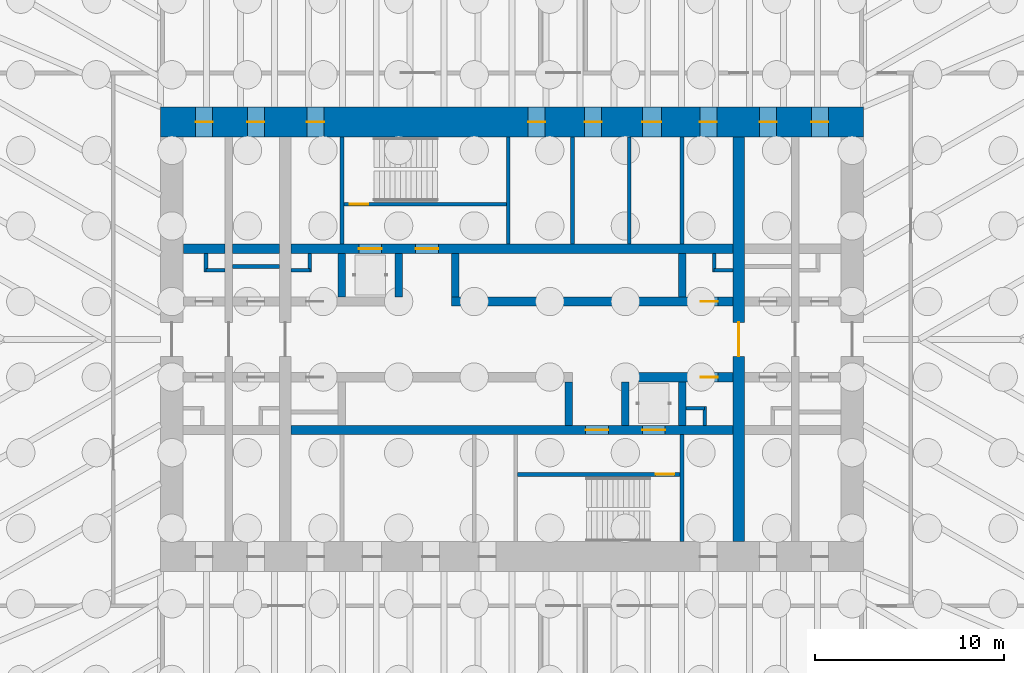
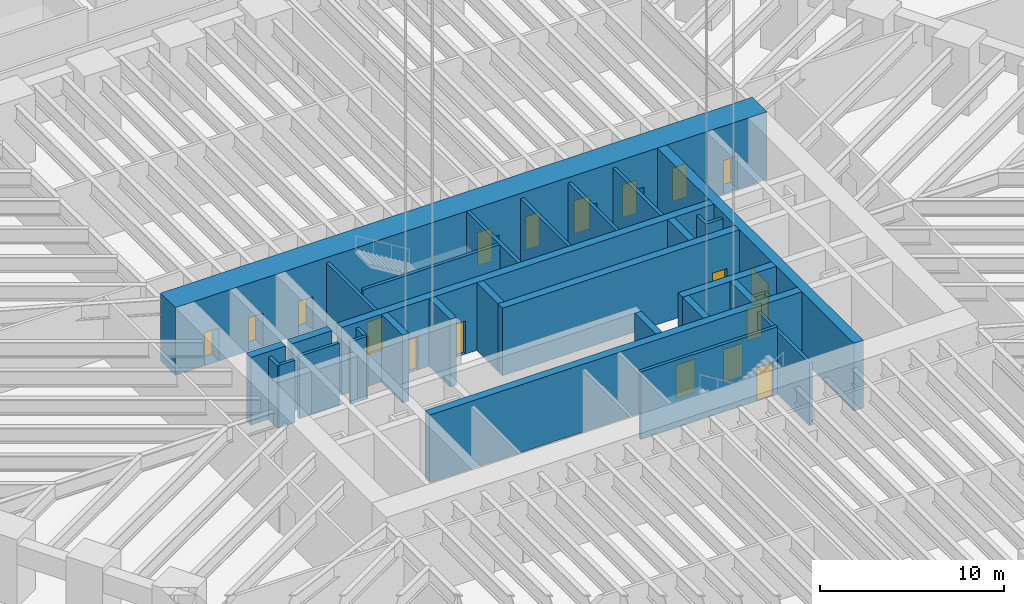
# One storey, part 9 of 17: 32 walls, 18 doors, 18 openings.
"""IFC4 building model written with IfcOpenShell, lengths in metres."""

from ifc_helpers import new_model, si_unit, direction, frame, frame_2d, origin, place, context, subcontext, project, spatial, rectangle, extrude, material, layer, layer_set, type_object, element, fill, save


model = new_model("IFC4")

# Units and contexts
model_context = context("Model", 3, precision=1e-05, world=origin(), true_north=direction((0.0, 1.0)))
body_context = subcontext(model_context, "Body", "Model", "MODEL_VIEW")
ifc_project = project(units=[si_unit("LENGTHUNIT", "METRE"), si_unit("AREAUNIT", "SQUARE_METRE"), si_unit("VOLUMEUNIT", "CUBIC_METRE"), si_unit("PLANEANGLEUNIT", "RADIAN"), si_unit("MASSUNIT", "GRAM", prefix="KILO")], contexts=[model_context])

# Site, building, storey
site_placement = place(None, origin())
site = spatial("IfcSite", under=ifc_project, at=site_placement, CompositionType="ELEMENT")
building_placement = place(site_placement, origin())
building = spatial("IfcBuilding", under=site, at=building_placement, Name="Tarfa Lantern Tower", CompositionType="ELEMENT")
storey_placement = place(building_placement, frame((0.0, 0.0, -9.0)))
storey = spatial("IfcBuildingStorey", under=building, at=storey_placement, Name="B2", CompositionType="ELEMENT", Elevation=-9.0)

# Walls
ifc_material_1 = material(Name="Concrete blockwork", Category="masonry")
ifc_layer_1 = layer(ifc_material_1, 0.199951171875)
ifc_layer_set_1 = layer_set([ifc_layer_1], Name="IW1 BLOCKWORK PARTITION 200 EI 120")
wall_type_1 = type_object("IfcWallType", Name="IW1 BLOCKWORK PARTITION 200 EI 120", PredefinedType="PARTITIONING", material=ifc_layer_set_1)
for number, where, z_axis, x_axis, name in (
    (1, (-9.0, 5.050048828125, 0.0), (0.0, 0.0, 1.0), (0.0, 1.0, 0.0), "Core partition"),
    (2, (9.0, 5.050048828125, 0.0), (0.0, 0.0, 1.0), (0.0, 1.0, 0.0), "Core partition"),
    (3, (3.199951171875, 5.050048828125, 0.0), (0.0, 0.0, 1.0), (0.0, 1.0, 0.0), "Core partition"),
    (4, (6.199951171875, 5.050048828125, 0.0), (0.0, 0.0, 1.0), (0.0, 1.0, 0.0), "Core partition"),
    (5, (9.0, -5.050048828125, 0.0), (0.0, 0.0, 1.0), (0.0, -1.0, 0.0), "Core partition"),
):
    element("IfcWall", number, at=place(storey_placement, frame(where, z_axis=z_axis, x_axis=x_axis)), inside=storey, type_object=wall_type_1, Name=name, PredefinedType="PARTITIONING", context=body_context, shape_type="SweptSolid", body=[
        extrude(rectangle(XDim=5.64990234375, YDim=0.199951171875, at=frame_2d((2.824951171875, 0.0))), origin(), (0.0, 0.0, 1.0), 4.14990234375),
    ])
for number, where, z_axis, x_axis, name in (
    (6, (-16.199951171875, 3.64990234375, 0.0), (0.0, 0.0, 1.0), (1.0, 0.0, 0.0), "Core partition"),
    (7, (-16.199951171875, 3.550048828125, 0.0), (0.0, 0.0, 1.0), (0.0, 1.0, 0.0), "Core partition"),
):
    element("IfcWall", number, at=place(storey_placement, frame(where, z_axis=z_axis, x_axis=x_axis)), inside=storey, type_object=wall_type_1, Name=name, PredefinedType="PARTITIONING", context=body_context, shape_type="SweptSolid", body=[
        extrude(rectangle(XDim=1.0, YDim=0.199951171875, at=frame_2d((0.5, 0.0))), origin(), (0.0, 0.0, 1.0), 4.14990234375),
    ])
wall_1_placement = place(storey_placement, frame((-14.800048828125, 3.85009765625, 0.0), z_axis=(0.0, 0.0, 1.0), x_axis=(1.0, 0.0, 0.0)))
element("IfcWall", 8, at=wall_1_placement, inside=storey, type_object=wall_type_1, Name="Core partition", PredefinedType="PARTITIONING", context=body_context, shape_type="SweptSolid", body=[
    extrude(rectangle(XDim=2.5, YDim=0.199951171875, at=frame_2d((1.25, 0.0))), origin(), (0.0, 0.0, 1.0), 4.14990234375),
])
for number, where, z_axis, x_axis, name in (
    (9, (-11.699951171875, 3.64990234375, 0.0), (0.0, 0.0, 1.0), (1.0, 0.0, 0.0), "Core partition"),
    (10, (-10.699951171875, 3.550048828125, 0.0), (0.0, 0.0, 1.0), (0.0, 1.0, 0.0), "Core partition"),
    (11, (10.699951171875, 3.64990234375, 0.0), (0.0, 0.0, 1.0), (1.0, 0.0, 0.0), "Core partition"),
    (12, (10.699951171875, 3.550048828125, 0.0), (0.0, 0.0, 1.0), (0.0, 1.0, 0.0), "Core partition"),
    (13, (10.199951171875, -3.64990234375, 0.0), (0.0, 0.0, 1.0), (-1.0, 0.0, 0.0), "Core partition"),
    (14, (10.199951171875, -3.550048828125, 0.0), (0.0, 0.0, 1.0), (0.0, -1.0, 0.0), "Core partition"),
):
    element("IfcWall", number, at=place(storey_placement, frame(where, z_axis=z_axis, x_axis=x_axis)), inside=storey, type_object=wall_type_1, Name=name, PredefinedType="PARTITIONING", context=body_context, shape_type="SweptSolid", body=[
        extrude(rectangle(XDim=1.0, YDim=0.199951171875, at=frame_2d((0.5, 0.0))), origin(), (0.0, 0.0, 1.0), 4.14990234375),
    ])
ifc_material_2 = material(Name="Concrete C80/95", Category="concrete")
ifc_layer_2 = layer(ifc_material_2, 0.199951171875)
ifc_layer_set_2 = layer_set([ifc_layer_2], Name="SW12 CORE WALL 200")
wall_type_2 = type_object("IfcWallType", Name="SW12 CORE WALL 200", PredefinedType="SHEAR", material=ifc_layer_set_2)
wall_2_placement = place(storey_placement, frame((-0.199951171875, 5.050048828125, 0.0), z_axis=(0.0, 0.0, 1.0), x_axis=(0.0, 1.0, 0.0)))
element("IfcWall", 15, at=wall_2_placement, inside=storey, type_object=wall_type_2, Name="Core wall stair shaft N", PredefinedType="SHEAR", context=body_context, shape_type="SweptSolid", body=[
    extrude(rectangle(XDim=5.64990234375, YDim=0.199951171875, at=frame_2d((2.824951171875, 0.0))), origin(), (0.0, 0.0, 1.0), 4.5),
])

# Wall, opening, door
wall_3_placement = place(storey_placement, frame((-8.89990234375, 7.14990234375, 0.0), z_axis=(0.0, 0.0, 1.0), x_axis=(1.0, 0.0, 0.0)))
wall_3 = element("IfcWall", 16, at=wall_3_placement, inside=storey, type_object=wall_type_2, Name="Core wall stair partition N", PredefinedType="SHEAR", context=body_context, shape_type="SweptSolid", body=[
    extrude(rectangle(XDim=8.599853515625, YDim=0.199951171875, at=frame_2d((4.2998046875, 0.0))), origin(), (0.0, 0.0, 1.0), 4.5),
])
opening_1_placement = place(wall_3_placement, frame((0.300048828125, 0.0, 0.0)))
opening_1 = element("IfcOpeningElement", 17, at=opening_1_placement, cuts=wall_3, Name="Opening D35", PredefinedType="OPENING", context=body_context, shape_type="SweptSolid", body=[
    extrude(rectangle(XDim=1.0, YDim=2.199951171875, at=frame_2d((0.5, 1.10009765625))), frame((0.0, 0.10986328125, 0.0), z_axis=(0.0, -1.0, 0.0), x_axis=(1.0, 0.0, 0.0)), (0.0, 0.0, 1.0), 0.219970703125),
])
ifc_material_3 = material(Name="Steel fire door", Category="steel")
door_type_1 = type_object("IfcDoorType", Name="DF2 STAIR DOOR 1000x2200", OperationType="SINGLE_SWING_LEFT", PredefinedType="DOOR", material=ifc_material_3)
door_1_placement = place(opening_1_placement, origin())
door_1 = element("IfcDoor", 18, at=door_1_placement, inside=storey, type_object=door_type_1, Name="Stair door", OperationType="SINGLE_SWING_RIGHT", OverallHeight=2.199951171875, OverallWidth=1.0, PredefinedType="DOOR", context=body_context, shape_type="SweptSolid", body=[
    extrude(rectangle(XDim=1.0, YDim=2.199951171875, at=frame_2d((0.5, 1.10009765625))), frame((0.0, 0.02490234375, 0.0), z_axis=(0.0, -1.0, 0.0), x_axis=(1.0, 0.0, 0.0)), (0.0, 0.0, 1.0), 0.050048828125),
])
fill(opening_1, door_1)

wall_4_placement = place(storey_placement, frame((8.89990234375, -7.14990234375, 0.0), z_axis=(0.0, 0.0, 1.0), x_axis=(-1.0, 0.0, 0.0)))
wall_4 = element("IfcWall", 19, at=wall_4_placement, inside=storey, type_object=wall_type_2, Name="Core wall stair partition S", PredefinedType="SHEAR", context=body_context, shape_type="SweptSolid", body=[
    extrude(rectangle(XDim=8.599853515625, YDim=0.199951171875, at=frame_2d((4.2998046875, 0.0))), origin(), (0.0, 0.0, 1.0), 4.5),
])
opening_2_placement = place(wall_4_placement, frame((0.300048828125, 0.0, 0.0)))
opening_2 = element("IfcOpeningElement", 20, at=opening_2_placement, cuts=wall_4, Name="Opening D36", PredefinedType="OPENING", context=body_context, shape_type="SweptSolid", body=[
    extrude(rectangle(XDim=1.0, YDim=2.199951171875, at=frame_2d((0.5, 1.10009765625))), frame((0.0, 0.10986328125, 0.0), z_axis=(0.0, -1.0, 0.0), x_axis=(1.0, 0.0, 0.0)), (0.0, 0.0, 1.0), 0.219970703125),
])
door_2_placement = place(opening_2_placement, origin())
door_2 = element("IfcDoor", 21, at=door_2_placement, inside=storey, type_object=door_type_1, Name="Stair door", OperationType="SINGLE_SWING_RIGHT", OverallHeight=2.199951171875, OverallWidth=1.0, PredefinedType="DOOR", context=body_context, shape_type="SweptSolid", body=[
    extrude(rectangle(XDim=1.0, YDim=2.199951171875, at=frame_2d((0.5, 1.10009765625))), frame((0.0, 0.02490234375, 0.0), z_axis=(0.0, -1.0, 0.0), x_axis=(1.0, 0.0, 0.0)), (0.0, 0.0, 1.0), 0.050048828125),
])
fill(opening_2, door_2)

ifc_layer_3 = layer(ifc_material_2, 0.5)
ifc_layer_set_3 = layer_set([ifc_layer_3], Name="SW5 CORE WALL 500")
wall_type_3 = type_object("IfcWallType", Name="SW5 CORE WALL 500", PredefinedType="SHEAR", material=ifc_layer_set_3)
wall_5_placement = place(storey_placement, frame((-3.199951171875, 2.0, 0.0), z_axis=(0.0, 0.0, 1.0), x_axis=(1.0, 0.0, 0.0)))
wall_5 = element("IfcWall", 22, at=wall_5_placement, inside=storey, type_object=wall_type_3, Name="Core wall lobby east N", PredefinedType="SHEAR", context=body_context, shape_type="SweptSolid", body=[
    extrude(rectangle(XDim=14.89990234375, YDim=0.5, at=frame_2d((7.449951171875, 0.0))), origin(), (0.0, 0.0, 1.0), 4.5),
])
opening_3_placement = place(wall_5_placement, frame((13.199951171875, 0.0, 0.0)))
opening_3 = element("IfcOpeningElement", 23, at=opening_3_placement, cuts=wall_5, Name="Opening D17", PredefinedType="OPENING", context=body_context, shape_type="SweptSolid", body=[
    extrude(rectangle(XDim=0.89990234375, YDim=2.199951171875, at=frame_2d((0.449951171875, 1.10009765625))), frame((0.0, 0.260009765625, 0.0), z_axis=(0.0, -1.0, 0.0), x_axis=(1.0, 0.0, 0.0)), (0.0, 0.0, 1.0), 0.52001953125),
])
door_type_2 = type_object("IfcDoorType", Name="DF6 SERVICE ROOM DOOR 900x2200", OperationType="SINGLE_SWING_LEFT", PredefinedType="DOOR", material=ifc_material_3)
door_3_placement = place(opening_3_placement, origin())
door_3 = element("IfcDoor", 24, at=door_3_placement, inside=storey, type_object=door_type_2, Name="Service room door", OperationType="SINGLE_SWING_LEFT", OverallHeight=2.199951171875, OverallWidth=0.89990234375, PredefinedType="DOOR", context=body_context, shape_type="SweptSolid", body=[
    extrude(rectangle(XDim=0.89990234375, YDim=2.199951171875, at=frame_2d((0.449951171875, 1.10009765625))), frame((0.0, 0.02490234375, 0.0), z_axis=(0.0, -1.0, 0.0), x_axis=(1.0, 0.0, 0.0)), (0.0, 0.0, 1.0), 0.050048828125),
])
fill(opening_3, door_3)

# Walls
wall_6_placement = place(storey_placement, frame((-17.39990234375, 4.800048828125, 0.0), z_axis=(0.0, 0.0, 1.0), x_axis=(1.0, 0.0, 0.0)))
element("IfcWall", 25, at=wall_6_placement, inside=storey, type_object=wall_type_3, Name="Core wall rear N", PredefinedType="SHEAR", context=body_context, shape_type="SweptSolid", body=[
    extrude(rectangle(XDim=2.199951171875, YDim=0.5, at=frame_2d((1.10009765625, 0.0))), origin(), (0.0, 0.0, 1.0), 4.5),
])
wall_7_placement = place(storey_placement, frame((-14.800048828125, 4.800048828125, 0.0), z_axis=(0.0, 0.0, 1.0), x_axis=(1.0, 0.0, 0.0)))
element("IfcWall", 26, at=wall_7_placement, inside=storey, type_object=wall_type_3, Name="Core wall rear N", PredefinedType="SHEAR", context=body_context, shape_type="SweptSolid", body=[
    extrude(rectangle(XDim=2.5, YDim=0.5, at=frame_2d((1.25, 0.0))), origin(), (0.0, 0.0, 1.0), 4.5),
])

# Wall, openings, doors
wall_8_placement = place(storey_placement, frame((-11.699951171875, 4.800048828125, 0.0), z_axis=(0.0, 0.0, 1.0), x_axis=(1.0, 0.0, 0.0)))
wall_8 = element("IfcWall", 27, at=wall_8_placement, inside=storey, type_object=wall_type_3, Name="Core wall rear N", PredefinedType="SHEAR", context=body_context, shape_type="SweptSolid", body=[
    extrude(rectangle(XDim=23.39990234375, YDim=0.5, at=frame_2d((11.699951171875, 0.0))), origin(), (0.0, 0.0, 1.0), 4.5),
])
opening_4_placement = place(wall_8_placement, frame((6.60009765625, 0.0, 0.0)))
opening_4 = element("IfcOpeningElement", 28, at=opening_4_placement, cuts=wall_8, Name="Opening D13", PredefinedType="OPENING", context=body_context, shape_type="SweptSolid", body=[
    extrude(rectangle(XDim=1.199951171875, YDim=2.199951171875, at=frame_2d((0.60009765625, 1.10009765625))), frame((0.0, 0.260009765625, 0.0), z_axis=(0.0, -1.0, 0.0), x_axis=(1.0, 0.0, 0.0)), (0.0, 0.0, 1.0), 0.52001953125),
])
opening_5_placement = place(wall_8_placement, frame((3.60009765625, 0.0, 0.0)))
opening_5 = element("IfcOpeningElement", 29, at=opening_5_placement, cuts=wall_8, Name="Opening LD01", PredefinedType="OPENING", context=body_context, shape_type="SweptSolid", body=[
    extrude(rectangle(XDim=1.199951171875, YDim=2.199951171875, at=frame_2d((0.60009765625, 1.10009765625))), frame((0.0, 0.260009765625, 0.0), z_axis=(0.0, -1.0, 0.0), x_axis=(1.0, 0.0, 0.0)), (0.0, 0.0, 1.0), 0.52001953125),
])
door_type_3 = type_object("IfcDoorType", Name="DF1 FIREFIGHTING LOBBY DOOR 1200x2200", OperationType="SINGLE_SWING_LEFT", PredefinedType="DOOR", material=ifc_material_3)
door_4_placement = place(opening_4_placement, origin())
door_4 = element("IfcDoor", 30, at=door_4_placement, inside=storey, type_object=door_type_3, Name="Firefighting lobby door", OperationType="SINGLE_SWING_LEFT", OverallHeight=2.199951171875, OverallWidth=1.199951171875, PredefinedType="DOOR", context=body_context, shape_type="SweptSolid", body=[
    extrude(rectangle(XDim=1.199951171875, YDim=2.199951171875, at=frame_2d((0.60009765625, 1.10009765625))), frame((0.0, 0.02490234375, 0.0), z_axis=(0.0, -1.0, 0.0), x_axis=(1.0, 0.0, 0.0)), (0.0, 0.0, 1.0), 0.050048828125),
])
fill(opening_4, door_4)
ifc_material_4 = material(Name="Stainless steel lift door", Category="steel")
door_type_4 = type_object("IfcDoorType", Name="LD1 LIFT LANDING DOOR 1200x2200", OperationType="SLIDING_TO_LEFT", PredefinedType="DOOR", material=ifc_material_4)
door_5_placement = place(opening_5_placement, origin())
door_5 = element("IfcDoor", 31, at=door_5_placement, inside=storey, type_object=door_type_4, Name="Landing door FL1", OperationType="SLIDING_TO_LEFT", OverallHeight=2.199951171875, OverallWidth=1.199951171875, PredefinedType="DOOR", context=body_context, shape_type="SweptSolid", body=[
    extrude(rectangle(XDim=1.199951171875, YDim=2.199951171875, at=frame_2d((0.60009765625, 1.10009765625))), frame((0.0, 0.02490234375, 0.0), z_axis=(0.0, -1.0, 0.0), x_axis=(1.0, 0.0, 0.0)), (0.0, 0.0, 1.0), 0.050048828125),
])
fill(opening_5, door_5)

# Wall, opening, door
wall_9_placement = place(storey_placement, frame((11.699951171875, -2.0, 0.0), z_axis=(0.0, 0.0, 1.0), x_axis=(-1.0, 0.0, 0.0)))
wall_9 = element("IfcWall", 32, at=wall_9_placement, inside=storey, type_object=wall_type_3, Name="Core wall lobby west S", PredefinedType="SHEAR", context=body_context, shape_type="SweptSolid", body=[
    extrude(rectangle(XDim=5.89990234375, YDim=0.5, at=frame_2d((2.949951171875, 0.0))), origin(), (0.0, 0.0, 1.0), 4.5),
])
opening_6_placement = place(wall_9_placement, frame((0.800048828125, 0.0, 0.0)))
opening_6 = element("IfcOpeningElement", 33, at=opening_6_placement, cuts=wall_9, Name="Opening D28", PredefinedType="OPENING", context=body_context, shape_type="SweptSolid", body=[
    extrude(rectangle(XDim=0.89990234375, YDim=2.199951171875, at=frame_2d((0.449951171875, 1.10009765625))), frame((0.0, 0.260009765625, 0.0), z_axis=(0.0, -1.0, 0.0), x_axis=(1.0, 0.0, 0.0)), (0.0, 0.0, 1.0), 0.52001953125),
])
door_6_placement = place(opening_6_placement, origin())
door_6 = element("IfcDoor", 34, at=door_6_placement, inside=storey, type_object=door_type_2, Name="Service room door", OperationType="SINGLE_SWING_RIGHT", OverallHeight=2.199951171875, OverallWidth=0.89990234375, PredefinedType="DOOR", context=body_context, shape_type="SweptSolid", body=[
    extrude(rectangle(XDim=0.89990234375, YDim=2.199951171875, at=frame_2d((0.449951171875, 1.10009765625))), frame((0.0, 0.02490234375, 0.0), z_axis=(0.0, -1.0, 0.0), x_axis=(1.0, 0.0, 0.0)), (0.0, 0.0, 1.0), 0.050048828125),
])
fill(opening_6, door_6)

# Wall, openings, doors
wall_10_placement = place(storey_placement, frame((11.699951171875, -4.800048828125, 0.0), z_axis=(0.0, 0.0, 1.0), x_axis=(-1.0, 0.0, 0.0)))
wall_10 = element("IfcWall", 35, at=wall_10_placement, inside=storey, type_object=wall_type_3, Name="Core wall rear S", PredefinedType="SHEAR", context=body_context, shape_type="SweptSolid", body=[
    extrude(rectangle(XDim=23.39990234375, YDim=0.5, at=frame_2d((11.699951171875, 0.0))), origin(), (0.0, 0.0, 1.0), 4.5),
])
opening_7_placement = place(wall_10_placement, frame((6.60009765625, 0.0, 0.0)))
opening_7 = element("IfcOpeningElement", 36, at=opening_7_placement, cuts=wall_10, Name="Opening D14", PredefinedType="OPENING", context=body_context, shape_type="SweptSolid", body=[
    extrude(rectangle(XDim=1.199951171875, YDim=2.199951171875, at=frame_2d((0.60009765625, 1.10009765625))), frame((0.0, 0.260009765625, 0.0), z_axis=(0.0, -1.0, 0.0), x_axis=(1.0, 0.0, 0.0)), (0.0, 0.0, 1.0), 0.52001953125),
])
opening_8_placement = place(wall_10_placement, frame((3.60009765625, 0.0, 0.0)))
opening_8 = element("IfcOpeningElement", 37, at=opening_8_placement, cuts=wall_10, Name="Opening LD02", PredefinedType="OPENING", context=body_context, shape_type="SweptSolid", body=[
    extrude(rectangle(XDim=1.199951171875, YDim=2.199951171875, at=frame_2d((0.60009765625, 1.10009765625))), frame((0.0, 0.260009765625, 0.0), z_axis=(0.0, -1.0, 0.0), x_axis=(1.0, 0.0, 0.0)), (0.0, 0.0, 1.0), 0.52001953125),
])
door_7_placement = place(opening_7_placement, origin())
door_7 = element("IfcDoor", 38, at=door_7_placement, inside=storey, type_object=door_type_3, Name="Firefighting lobby door", OperationType="SINGLE_SWING_LEFT", OverallHeight=2.199951171875, OverallWidth=1.199951171875, PredefinedType="DOOR", context=body_context, shape_type="SweptSolid", body=[
    extrude(rectangle(XDim=1.199951171875, YDim=2.199951171875, at=frame_2d((0.60009765625, 1.10009765625))), frame((0.0, 0.02490234375, 0.0), z_axis=(0.0, -1.0, 0.0), x_axis=(1.0, 0.0, 0.0)), (0.0, 0.0, 1.0), 0.050048828125),
])
fill(opening_7, door_7)
door_8_placement = place(opening_8_placement, origin())
door_8 = element("IfcDoor", 39, at=door_8_placement, inside=storey, type_object=door_type_4, Name="Landing door FL2", OperationType="SLIDING_TO_LEFT", OverallHeight=2.199951171875, OverallWidth=1.199951171875, PredefinedType="DOOR", context=body_context, shape_type="SweptSolid", body=[
    extrude(rectangle(XDim=1.199951171875, YDim=2.199951171875, at=frame_2d((0.60009765625, 1.10009765625))), frame((0.0, 0.02490234375, 0.0), z_axis=(0.0, -1.0, 0.0), x_axis=(1.0, 0.0, 0.0)), (0.0, 0.0, 1.0), 0.050048828125),
])
fill(opening_8, door_8)

# Walls
ifc_layer_4 = layer(ifc_material_2, 0.39990234375)
ifc_layer_set_4 = layer_set([ifc_layer_4], Name="SW6 CORE WALL 400")
wall_type_4 = type_object("IfcWallType", Name="SW6 CORE WALL 400", PredefinedType="SHEAR", material=ifc_layer_set_4)
for number, where, z_axis, x_axis, name in (
    (40, (-9.0, 2.25, 0.0), (0.0, 0.0, 1.0), (0.0, 1.0, 0.0), "Core wall divider N"),
    (41, (-6.0, 2.25, 0.0), (0.0, 0.0, 1.0), (0.0, 1.0, 0.0), "Core wall divider N"),
    (42, (-3.0, 2.25, 0.0), (0.0, 0.0, 1.0), (0.0, 1.0, 0.0), "Core wall divider N"),
    (43, (9.0, 2.25, 0.0), (0.0, 0.0, 1.0), (0.0, 1.0, 0.0), "Core wall divider N"),
    (44, (9.0, -2.25, 0.0), (0.0, 0.0, 1.0), (0.0, -1.0, 0.0), "Core wall divider S"),
    (45, (6.0, -2.25, 0.0), (0.0, 0.0, 1.0), (0.0, -1.0, 0.0), "Core wall divider S"),
    (46, (3.0, -2.25, 0.0), (0.0, 0.0, 1.0), (0.0, -1.0, 0.0), "Core wall divider S"),
):
    element("IfcWall", number, at=place(storey_placement, frame(where, z_axis=z_axis, x_axis=x_axis)), inside=storey, type_object=wall_type_4, Name=name, PredefinedType="SHEAR", context=body_context, shape_type="SweptSolid", body=[
        extrude(rectangle(XDim=2.300048828125, YDim=0.39990234375, at=frame_2d((1.14990234375, 0.0))), origin(), (0.0, 0.0, 1.0), 4.5),
    ])

# Wall, openings, doors
ifc_layer_5 = layer(ifc_material_2, 1.60009765625)
ifc_layer_set_5 = layer_set([ifc_layer_5], Name="SW7 CORE WALL 1600")
wall_type_5 = type_object("IfcWallType", Name="SW7 CORE WALL 1600", PredefinedType="SHEAR", material=ifc_layer_set_5)
wall_11_placement = place(storey_placement, frame((-18.60009765625, 11.5, 0.0), z_axis=(0.0, 0.0, 1.0), x_axis=(1.0, 0.0, 0.0)))
wall_11 = element("IfcWall", 47, at=wall_11_placement, inside=storey, type_object=wall_type_5, Name="Core wall N", PredefinedType="SHEAR", context=body_context, shape_type="SweptSolid", body=[
    extrude(rectangle(XDim=37.2001953125, YDim=1.60009765625, at=frame_2d((18.60009765625, 0.0))), origin(), (0.0, 0.0, 1.0), 4.5),
])
opening_9_placement = place(wall_11_placement, frame((19.449951171875, 0.0, 0.0)))
opening_9 = element("IfcOpeningElement", 48, at=opening_9_placement, cuts=wall_11, Name="Opening D29", PredefinedType="OPENING", context=body_context, shape_type="SweptSolid", body=[
    extrude(rectangle(XDim=0.89990234375, YDim=2.199951171875, at=frame_2d((0.449951171875, 1.10009765625))), frame((0.0, 0.81005859375, 0.0), z_axis=(0.0, -1.0, 0.0), x_axis=(1.0, 0.0, 0.0)), (0.0, 0.0, 1.0), 1.6201171875),
])
opening_10_placement = place(wall_11_placement, frame((22.449951171875, 0.0, 0.0)))
opening_10 = element("IfcOpeningElement", 49, at=opening_10_placement, cuts=wall_11, Name="Opening D31", PredefinedType="OPENING", context=body_context, shape_type="SweptSolid", body=[
    extrude(rectangle(XDim=0.89990234375, YDim=2.199951171875, at=frame_2d((0.449951171875, 1.10009765625))), frame((0.0, 0.81005859375, 0.0), z_axis=(0.0, -1.0, 0.0), x_axis=(1.0, 0.0, 0.0)), (0.0, 0.0, 1.0), 1.6201171875),
])
opening_11_placement = place(wall_11_placement, frame((25.5, 0.0, 0.0)))
opening_11 = element("IfcOpeningElement", 50, at=opening_11_placement, cuts=wall_11, Name="Opening D33", PredefinedType="OPENING", context=body_context, shape_type="SweptSolid", body=[
    extrude(rectangle(XDim=1.0, YDim=2.199951171875, at=frame_2d((0.5, 1.10009765625))), frame((0.0, 0.81005859375, 0.0), z_axis=(0.0, -1.0, 0.0), x_axis=(1.0, 0.0, 0.0)), (0.0, 0.0, 1.0), 1.6201171875),
])
opening_12_placement = place(wall_11_placement, frame((1.85009765625, 0.0, 0.0)))
opening_12 = element("IfcOpeningElement", 51, at=opening_12_placement, cuts=wall_11, Name="Opening D11", PredefinedType="OPENING", context=body_context, shape_type="SweptSolid", body=[
    extrude(rectangle(XDim=0.89990234375, YDim=2.199951171875, at=frame_2d((0.449951171875, 1.10009765625))), frame((0.0, 0.81005859375, 0.0), z_axis=(0.0, -1.0, 0.0), x_axis=(1.0, 0.0, 0.0)), (0.0, 0.0, 1.0), 1.6201171875),
])
opening_13_placement = place(wall_11_placement, frame((4.60009765625, 0.0, 0.0)))
opening_13 = element("IfcOpeningElement", 52, at=opening_13_placement, cuts=wall_11, Name="Opening D07", PredefinedType="OPENING", context=body_context, shape_type="SweptSolid", body=[
    extrude(rectangle(XDim=0.89990234375, YDim=2.199951171875, at=frame_2d((0.449951171875, 1.10009765625))), frame((0.0, 0.81005859375, 0.0), z_axis=(0.0, -1.0, 0.0), x_axis=(1.0, 0.0, 0.0)), (0.0, 0.0, 1.0), 1.6201171875),
])
opening_14_placement = place(wall_11_placement, frame((7.75, 0.0, 0.0)))
opening_14 = element("IfcOpeningElement", 53, at=opening_14_placement, cuts=wall_11, Name="Opening D09", PredefinedType="OPENING", context=body_context, shape_type="SweptSolid", body=[
    extrude(rectangle(XDim=0.89990234375, YDim=2.199951171875, at=frame_2d((0.449951171875, 1.10009765625))), frame((0.0, 0.81005859375, 0.0), z_axis=(0.0, -1.0, 0.0), x_axis=(1.0, 0.0, 0.0)), (0.0, 0.0, 1.0), 1.6201171875),
])
opening_15_placement = place(wall_11_placement, frame((28.550048828125, 0.0, 0.0)))
opening_15 = element("IfcOpeningElement", 54, at=opening_15_placement, cuts=wall_11, Name="Opening D05", PredefinedType="OPENING", context=body_context, shape_type="SweptSolid", body=[
    extrude(rectangle(XDim=0.89990234375, YDim=2.199951171875, at=frame_2d((0.449951171875, 1.10009765625))), frame((0.0, 0.81005859375, 0.0), z_axis=(0.0, -1.0, 0.0), x_axis=(1.0, 0.0, 0.0)), (0.0, 0.0, 1.0), 1.6201171875),
])
opening_16_placement = place(wall_11_placement, frame((31.699951171875, 0.0, 0.0)))
opening_16 = element("IfcOpeningElement", 55, at=opening_16_placement, cuts=wall_11, Name="Opening D01", PredefinedType="OPENING", context=body_context, shape_type="SweptSolid", body=[
    extrude(rectangle(XDim=0.89990234375, YDim=2.199951171875, at=frame_2d((0.449951171875, 1.10009765625))), frame((0.0, 0.81005859375, 0.0), z_axis=(0.0, -1.0, 0.0), x_axis=(1.0, 0.0, 0.0)), (0.0, 0.0, 1.0), 1.6201171875),
])
opening_17_placement = place(wall_11_placement, frame((34.449951171875, 0.0, 0.0)))
opening_17 = element("IfcOpeningElement", 56, at=opening_17_placement, cuts=wall_11, Name="Opening D03", PredefinedType="OPENING", context=body_context, shape_type="SweptSolid", body=[
    extrude(rectangle(XDim=0.89990234375, YDim=2.199951171875, at=frame_2d((0.449951171875, 1.10009765625))), frame((0.0, 0.81005859375, 0.0), z_axis=(0.0, -1.0, 0.0), x_axis=(1.0, 0.0, 0.0)), (0.0, 0.0, 1.0), 1.6201171875),
])
door_type_5 = type_object("IfcDoorType", Name="DF3 CORE ROOM DOOR 900x2200", OperationType="SINGLE_SWING_LEFT", PredefinedType="DOOR", material=ifc_material_3)
door_9_placement = place(opening_9_placement, frame((0.89990234375, 0.0, 0.0), z_axis=(0.0, 0.0, 1.0), x_axis=(-1.0, 0.0, 0.0)))
door_9 = element("IfcDoor", 57, at=door_9_placement, inside=storey, type_object=door_type_5, Name="Core door", OperationType="SINGLE_SWING_LEFT", OverallHeight=2.199951171875, OverallWidth=0.89990234375, PredefinedType="DOOR", context=body_context, shape_type="SweptSolid", body=[
    extrude(rectangle(XDim=0.89990234375, YDim=2.199951171875, at=frame_2d((0.449951171875, 1.10009765625))), frame((0.0, 0.02490234375, 0.0), z_axis=(0.0, -1.0, 0.0), x_axis=(1.0, 0.0, 0.0)), (0.0, 0.0, 1.0), 0.050048828125),
])
fill(opening_9, door_9)
door_10_placement = place(opening_10_placement, frame((0.89990234375, 0.0, 0.0), z_axis=(0.0, 0.0, 1.0), x_axis=(-1.0, 0.0, 0.0)))
door_10 = element("IfcDoor", 58, at=door_10_placement, inside=storey, type_object=door_type_5, Name="Core door", OperationType="SINGLE_SWING_LEFT", OverallHeight=2.199951171875, OverallWidth=0.89990234375, PredefinedType="DOOR", context=body_context, shape_type="SweptSolid", body=[
    extrude(rectangle(XDim=0.89990234375, YDim=2.199951171875, at=frame_2d((0.449951171875, 1.10009765625))), frame((0.0, 0.02490234375, 0.0), z_axis=(0.0, -1.0, 0.0), x_axis=(1.0, 0.0, 0.0)), (0.0, 0.0, 1.0), 0.050048828125),
])
fill(opening_10, door_10)
door_type_6 = type_object("IfcDoorType", Name="DF4 CORE ROOM DOOR 1000x2200", OperationType="SINGLE_SWING_LEFT", PredefinedType="DOOR", material=ifc_material_3)
door_11_placement = place(opening_11_placement, frame((1.0, 0.0, 0.0), z_axis=(0.0, 0.0, 1.0), x_axis=(-1.0, 0.0, 0.0)))
door_11 = element("IfcDoor", 59, at=door_11_placement, inside=storey, type_object=door_type_6, Name="Core door", OperationType="SINGLE_SWING_LEFT", OverallHeight=2.199951171875, OverallWidth=1.0, PredefinedType="DOOR", context=body_context, shape_type="SweptSolid", body=[
    extrude(rectangle(XDim=1.0, YDim=2.199951171875, at=frame_2d((0.5, 1.10009765625))), frame((0.0, 0.02490234375, 0.0), z_axis=(0.0, -1.0, 0.0), x_axis=(1.0, 0.0, 0.0)), (0.0, 0.0, 1.0), 0.050048828125),
])
fill(opening_11, door_11)
door_type_7 = type_object("IfcDoorType", Name="DF5 RISER DOOR 900x2200", OperationType="SINGLE_SWING_LEFT", PredefinedType="DOOR", material=ifc_material_3)
door_12_placement = place(opening_12_placement, frame((0.89990234375, 0.0, 0.0), z_axis=(0.0, 0.0, 1.0), x_axis=(-1.0, 0.0, 0.0)))
door_12 = element("IfcDoor", 60, at=door_12_placement, inside=storey, type_object=door_type_7, Name="Riser door", OperationType="SINGLE_SWING_LEFT", OverallHeight=2.199951171875, OverallWidth=0.89990234375, PredefinedType="DOOR", context=body_context, shape_type="SweptSolid", body=[
    extrude(rectangle(XDim=0.89990234375, YDim=2.199951171875, at=frame_2d((0.449951171875, 1.10009765625))), frame((0.0, 0.02490234375, 0.0), z_axis=(0.0, -1.0, 0.0), x_axis=(1.0, 0.0, 0.0)), (0.0, 0.0, 1.0), 0.050048828125),
])
fill(opening_12, door_12)
door_13_placement = place(opening_13_placement, frame((0.89990234375, 0.0, 0.0), z_axis=(0.0, 0.0, 1.0), x_axis=(-1.0, 0.0, 0.0)))
door_13 = element("IfcDoor", 61, at=door_13_placement, inside=storey, type_object=door_type_7, Name="Riser door", OperationType="SINGLE_SWING_LEFT", OverallHeight=2.199951171875, OverallWidth=0.89990234375, PredefinedType="DOOR", context=body_context, shape_type="SweptSolid", body=[
    extrude(rectangle(XDim=0.89990234375, YDim=2.199951171875, at=frame_2d((0.449951171875, 1.10009765625))), frame((0.0, 0.02490234375, 0.0), z_axis=(0.0, -1.0, 0.0), x_axis=(1.0, 0.0, 0.0)), (0.0, 0.0, 1.0), 0.050048828125),
])
fill(opening_13, door_13)
door_14_placement = place(opening_14_placement, frame((0.89990234375, 0.0, 0.0), z_axis=(0.0, 0.0, 1.0), x_axis=(-1.0, 0.0, 0.0)))
door_14 = element("IfcDoor", 62, at=door_14_placement, inside=storey, type_object=door_type_7, Name="Riser door", OperationType="SINGLE_SWING_LEFT", OverallHeight=2.199951171875, OverallWidth=0.89990234375, PredefinedType="DOOR", context=body_context, shape_type="SweptSolid", body=[
    extrude(rectangle(XDim=0.89990234375, YDim=2.199951171875, at=frame_2d((0.449951171875, 1.10009765625))), frame((0.0, 0.02490234375, 0.0), z_axis=(0.0, -1.0, 0.0), x_axis=(1.0, 0.0, 0.0)), (0.0, 0.0, 1.0), 0.050048828125),
])
fill(opening_14, door_14)
door_15_placement = place(opening_15_placement, frame((0.89990234375, 0.0, 0.0), z_axis=(0.0, 0.0, 1.0), x_axis=(-1.0, 0.0, 0.0)))
door_15 = element("IfcDoor", 63, at=door_15_placement, inside=storey, type_object=door_type_7, Name="Riser door", OperationType="SINGLE_SWING_RIGHT", OverallHeight=2.199951171875, OverallWidth=0.89990234375, PredefinedType="DOOR", context=body_context, shape_type="SweptSolid", body=[
    extrude(rectangle(XDim=0.89990234375, YDim=2.199951171875, at=frame_2d((0.449951171875, 1.10009765625))), frame((0.0, 0.02490234375, 0.0), z_axis=(0.0, -1.0, 0.0), x_axis=(1.0, 0.0, 0.0)), (0.0, 0.0, 1.0), 0.050048828125),
])
fill(opening_15, door_15)
door_16_placement = place(opening_16_placement, frame((0.89990234375, 0.0, 0.0), z_axis=(0.0, 0.0, 1.0), x_axis=(-1.0, 0.0, 0.0)))
door_16 = element("IfcDoor", 64, at=door_16_placement, inside=storey, type_object=door_type_7, Name="Riser door", OperationType="SINGLE_SWING_RIGHT", OverallHeight=2.199951171875, OverallWidth=0.89990234375, PredefinedType="DOOR", context=body_context, shape_type="SweptSolid", body=[
    extrude(rectangle(XDim=0.89990234375, YDim=2.199951171875, at=frame_2d((0.449951171875, 1.10009765625))), frame((0.0, 0.02490234375, 0.0), z_axis=(0.0, -1.0, 0.0), x_axis=(1.0, 0.0, 0.0)), (0.0, 0.0, 1.0), 0.050048828125),
])
fill(opening_16, door_16)
door_17_placement = place(opening_17_placement, frame((0.89990234375, 0.0, 0.0), z_axis=(0.0, 0.0, 1.0), x_axis=(-1.0, 0.0, 0.0)))
door_17 = element("IfcDoor", 65, at=door_17_placement, inside=storey, type_object=door_type_7, Name="Riser door", OperationType="SINGLE_SWING_RIGHT", OverallHeight=2.199951171875, OverallWidth=0.89990234375, PredefinedType="DOOR", context=body_context, shape_type="SweptSolid", body=[
    extrude(rectangle(XDim=0.89990234375, YDim=2.199951171875, at=frame_2d((0.449951171875, 1.10009765625))), frame((0.0, 0.02490234375, 0.0), z_axis=(0.0, -1.0, 0.0), x_axis=(1.0, 0.0, 0.0)), (0.0, 0.0, 1.0), 0.050048828125),
])
fill(opening_17, door_17)

# Wall, opening, door
ifc_layer_6 = layer(ifc_material_2, 0.60009765625)
ifc_layer_set_6 = layer_set([ifc_layer_6], Name="SW9 CORE WALL 600")
wall_type_6 = type_object("IfcWallType", Name="SW9 CORE WALL 600", PredefinedType="SHEAR", material=ifc_layer_set_6)
wall_12_placement = place(storey_placement, frame((12.0, -10.699951171875, 0.0), z_axis=(0.0, 0.0, 1.0), x_axis=(0.0, 1.0, 0.0)))
wall_12 = element("IfcWall", 66, at=wall_12_placement, inside=storey, type_object=wall_type_6, Name="Core wall cross 12 m east", PredefinedType="SHEAR", context=body_context, shape_type="SweptSolid", body=[
    extrude(rectangle(XDim=21.39990234375, YDim=0.60009765625, at=frame_2d((10.699951171875, 0.0))), origin(), (0.0, 0.0, 1.0), 4.5),
])
opening_18_placement = place(wall_12_placement, frame((9.800048828125, 0.0, 0.0)))
opening_18 = element("IfcOpeningElement", 67, at=opening_18_placement, cuts=wall_12, Name="Opening D37", PredefinedType="OPENING", context=body_context, shape_type="SweptSolid", body=[
    extrude(rectangle(XDim=1.800048828125, YDim=2.39990234375, at=frame_2d((0.89990234375, 1.199951171875))), frame((0.0, 0.31005859375, 0.0), z_axis=(0.0, -1.0, 0.0), x_axis=(1.0, 0.0, 0.0)), (0.0, 0.0, 1.0), 0.6201171875),
])
door_type_8 = type_object("IfcDoorType", Name="DL1 LOBBY DOOR 1800x2400", OperationType="DOUBLE_DOOR_SINGLE_SWING", PredefinedType="DOOR", material=ifc_material_3)
door_18_placement = place(opening_18_placement, origin())
door_18 = element("IfcDoor", 68, at=door_18_placement, inside=storey, type_object=door_type_8, Name="Lift lobby door", OperationType="DOUBLE_DOOR_SINGLE_SWING", OverallHeight=2.39990234375, OverallWidth=1.800048828125, PredefinedType="DOOR", context=body_context, shape_type="SweptSolid", body=[
    extrude(rectangle(XDim=1.800048828125, YDim=2.39990234375, at=frame_2d((0.89990234375, 1.199951171875))), frame((0.0, 0.02490234375, 0.0), z_axis=(0.0, -1.0, 0.0), x_axis=(1.0, 0.0, 0.0)), (0.0, 0.0, 1.0), 0.050048828125),
])
fill(opening_18, door_18)

save(model, "model.ifc")
